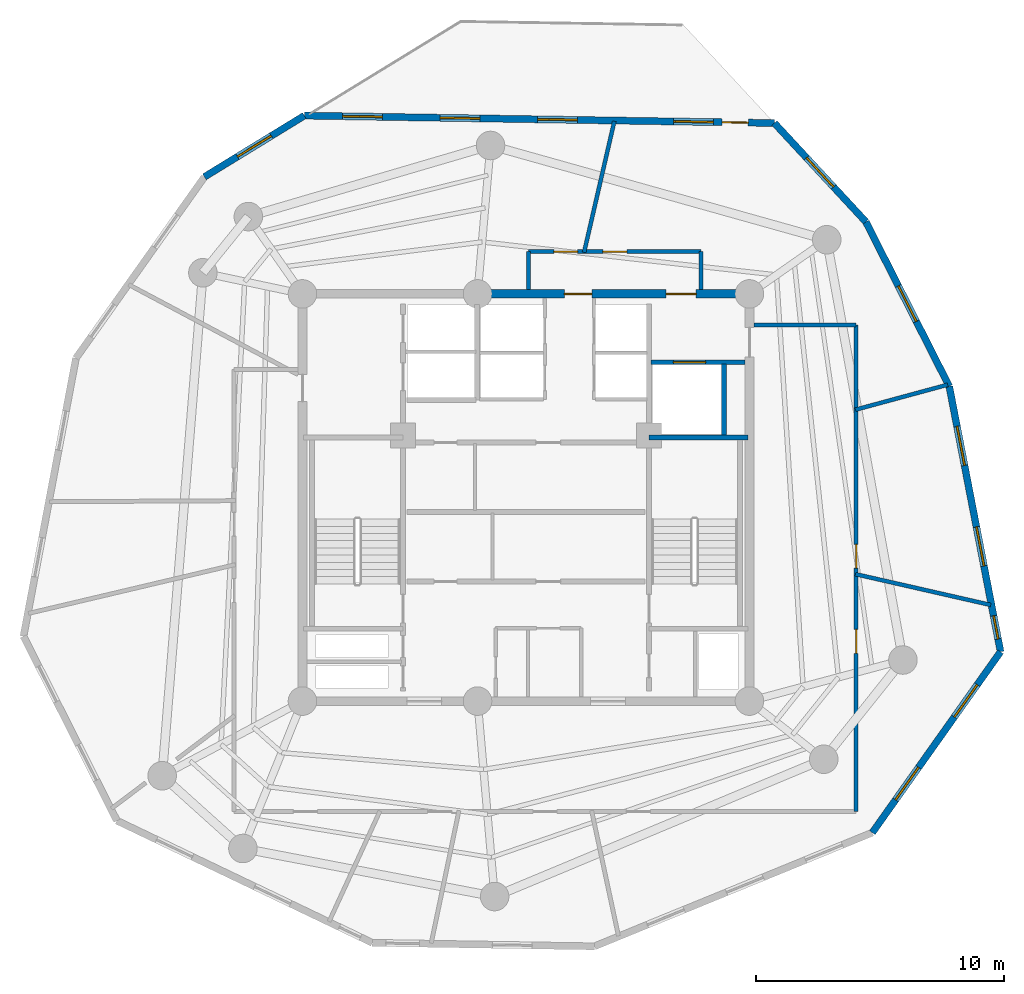
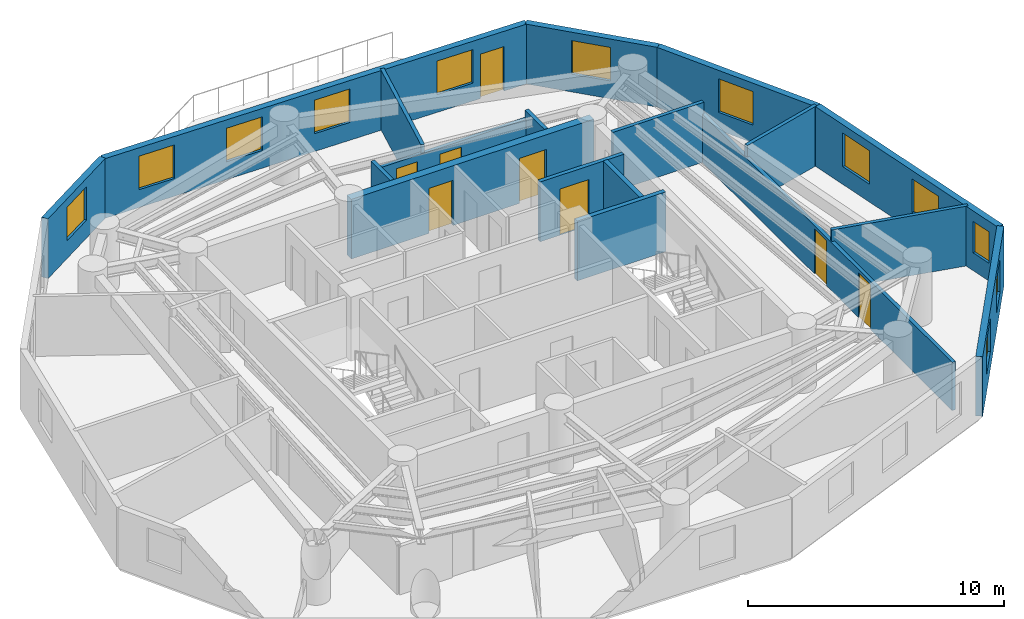
# One storey, part 5 of 7: 18 walls, 12 windows, 8 doors, 20 openings.
"""IFC4 building model written with IfcOpenShell, lengths in metres."""

from ifc_helpers import new_model, si_unit, direction, frame, frame_2d, origin, origin_with_axes, place, context, subcontext, project, spatial, rectangle, extrude, source, transform, mapped, material, layer, layer_set, type_object, element, fill, save


model = new_model("IFC4")

# Units and contexts
model_context = context("Model", 3, precision=1e-05, world=origin(), true_north=direction((0.0, 1.0)))
body_context = subcontext(model_context, "Body", "Model", "MODEL_VIEW")
ifc_project = project(units=[si_unit("LENGTHUNIT", "METRE"), si_unit("AREAUNIT", "SQUARE_METRE"), si_unit("VOLUMEUNIT", "CUBIC_METRE"), si_unit("PLANEANGLEUNIT", "RADIAN"), si_unit("MASSUNIT", "GRAM", prefix="KILO")], contexts=[model_context])

# Site, building, storey
site_placement = place(None, origin())
site = spatial("IfcSite", under=ifc_project, at=site_placement, CompositionType="ELEMENT")
building_placement = place(site_placement, origin())
building = spatial("IfcBuilding", under=site, at=building_placement, Name="Karkom Vertical University and Central Library", CompositionType="ELEMENT")
storey_placement = place(building_placement, frame((0.0, 0.0, 253.5)))
storey = spatial("IfcBuildingStorey", under=building, at=storey_placement, Name="L75", CompositionType="ELEMENT", Elevation=253.5)

# Wall, openings, windows
ifc_material_1 = material(Name="Brick-faced precast concrete C45/55", Category="masonry")
ifc_layer_1 = layer(ifc_material_1, 0.280029296875)
ifc_layer_set_1 = layer_set([ifc_layer_1], Name="Brick-faced precast concrete C45/55")
wall_type_1 = type_object("IfcWallType", Name="ENV-WL-BRK-280", PredefinedType="SOLIDWALL", material=ifc_layer_set_1)
wall_1_placement = place(storey_placement, frame((42.448974609375, 13.0009765625, 0.0), z_axis=(0.0, 0.0, 1.0), x_axis=(0.578346431581, 0.815791275436, 0.0)))
wall_1 = element("IfcWall", 1, at=wall_1_placement, inside=storey, type_object=wall_type_1, Name="Level 75 Brick-Faced Precast Facade Wall 04", PredefinedType="SOLIDWALL", context=body_context, shape_type="SweptSolid", body=[
    extrude(rectangle(XDim=8.931884765625, YDim=0.280029296875, at=frame_2d((4.4658203125, 0.0))), origin(), (0.0, 0.0, 1.0), 2.85009765625),
])
opening_1_placement = place(wall_1_placement, frame((1.623046875, 0.0, 0.85009765625)))
opening_1 = element("IfcOpeningElement", 2, at=opening_1_placement, cuts=wall_1, Name="Opening WN-10", PredefinedType="OPENING", context=body_context, shape_type="SweptSolid", body=[
    extrude(rectangle(XDim=1.60009765625, YDim=1.60009765625, at=frame_2d((0.800048828125, 0.800048828125))), frame((0.0, 0.14990234375, 0.0), z_axis=(0.0, -1.0, 0.0), x_axis=(1.0, 0.0, 0.0)), (0.0, 0.0, 1.0), 0.300048828125),
])
opening_2_placement = place(wall_1_placement, frame((5.708984375, 0.0, 0.85009765625)))
opening_2 = element("IfcOpeningElement", 3, at=opening_2_placement, cuts=wall_1, Name="Opening WN-10", PredefinedType="OPENING", context=body_context, shape_type="SweptSolid", body=[
    extrude(rectangle(XDim=1.60009765625, YDim=1.60009765625, at=frame_2d((0.800048828125, 0.800048828125))), frame((0.0, 0.14990234375, 0.0), z_axis=(0.0, -1.0, 0.0), x_axis=(1.0, 0.0, 0.0)), (0.0, 0.0, 1.0), 0.300048828125),
])
ifc_material_2 = material(Name="Aluminium thermal-break frame with solar-control IGU", Category="aluminium")
window_type_1 = type_object("IfcWindowType", Name="ENV-WIN-WN-10", PartitioningType="SINGLE_PANEL", PredefinedType="WINDOW", material=ifc_material_2)
shared_shape_1 = source(origin_with_axes(), body_context, "Body", "SweptSolid", [
    extrude(rectangle(XDim=1.60009765625, YDim=1.60009765625, at=frame_2d((0.800048828125, 0.800048828125))), frame((0.0, 0.030029296875, 0.0), z_axis=(0.0, -1.0, 0.0), x_axis=(1.0, 0.0, 0.0)), (0.0, 0.0, 1.0), 0.06005859375),
])
window_1_placement = place(opening_1_placement, origin())
window_1 = element("IfcWindow", 4, at=window_1_placement, inside=storey, type_object=window_type_1, Name="Level 75 Punched Window 4.1", OverallHeight=1.60009765625, OverallWidth=1.60009765625, PartitioningType="SINGLE_PANEL", PredefinedType="WINDOW", context=body_context, shape_type="MappedRepresentation", body=[
    mapped(shared_shape_1, transform((0.0, 0.0, 0.0), scale=1.0)),
])
fill(opening_1, window_1)
window_2_placement = place(opening_2_placement, origin())
window_2 = element("IfcWindow", 5, at=window_2_placement, inside=storey, type_object=window_type_1, Name="Level 75 Punched Window 4.2", OverallHeight=1.60009765625, OverallWidth=1.60009765625, PartitioningType="SINGLE_PANEL", PredefinedType="WINDOW", context=body_context, shape_type="MappedRepresentation", body=[
    mapped(shared_shape_1, transform((0.0, 0.0, 0.0), scale=1.0)),
])
fill(opening_2, window_2)

wall_2_placement = place(storey_placement, frame((47.61474609375, 20.28759765625, 0.0), z_axis=(0.0, 0.0, 1.0), x_axis=(-0.189663427648, 0.981849165714, 0.0)))
wall_2 = element("IfcWall", 6, at=wall_2_placement, inside=storey, type_object=wall_type_1, Name="Level 75 Brick-Faced Precast Facade Wall 05", PredefinedType="SOLIDWALL", context=body_context, shape_type="SweptSolid", body=[
    extrude(rectangle(XDim=10.884765625, YDim=0.280029296875, at=frame_2d((5.4423828125, 0.0))), origin(), (0.0, 0.0, 1.0), 2.85009765625),
])
opening_3_placement = place(wall_2_placement, frame((0.5244140625, 0.0, 0.85009765625)))
opening_3 = element("IfcOpeningElement", 7, at=opening_3_placement, cuts=wall_2, Name="Opening WN-12", PredefinedType="OPENING", context=body_context, shape_type="SweptSolid", body=[
    extrude(rectangle(XDim=0.949951171875, YDim=1.5, at=frame_2d((0.47509765625, 0.75))), frame((0.0, 0.14990234375, 0.0), z_axis=(0.0, -1.0, 0.0), x_axis=(1.0, 0.0, 0.0)), (0.0, 0.0, 1.0), 0.300048828125),
])
opening_4_placement = place(wall_2_placement, frame((3.520263671875, 0.0, 0.85009765625)))
opening_4 = element("IfcOpeningElement", 8, at=opening_4_placement, cuts=wall_2, Name="Opening WN-10", PredefinedType="OPENING", context=body_context, shape_type="SweptSolid", body=[
    extrude(rectangle(XDim=1.60009765625, YDim=1.60009765625, at=frame_2d((0.800048828125, 0.800048828125))), frame((0.0, 0.14990234375, 0.0), z_axis=(0.0, -1.0, 0.0), x_axis=(1.0, 0.0, 0.0)), (0.0, 0.0, 1.0), 0.300048828125),
])
opening_5_placement = place(wall_2_placement, frame((7.643310546875, 0.0, 0.85009765625)))
opening_5 = element("IfcOpeningElement", 9, at=opening_5_placement, cuts=wall_2, Name="Opening WN-10", PredefinedType="OPENING", context=body_context, shape_type="SweptSolid", body=[
    extrude(rectangle(XDim=1.60009765625, YDim=1.60009765625, at=frame_2d((0.800048828125, 0.800048828125))), frame((0.0, 0.14990234375, 0.0), z_axis=(0.0, -1.0, 0.0), x_axis=(1.0, 0.0, 0.0)), (0.0, 0.0, 1.0), 0.300048828125),
])
window_type_2 = type_object("IfcWindowType", Name="ENV-WIN-WN-12", PartitioningType="SINGLE_PANEL", PredefinedType="WINDOW", material=ifc_material_2)
shared_shape_2 = source(origin_with_axes(), body_context, "Body", "SweptSolid", [
    extrude(rectangle(XDim=0.949951171875, YDim=1.5, at=frame_2d((0.47509765625, 0.75))), frame((0.0, 0.030029296875, 0.0), z_axis=(0.0, -1.0, 0.0), x_axis=(1.0, 0.0, 0.0)), (0.0, 0.0, 1.0), 0.06005859375),
])
window_3_placement = place(opening_3_placement, origin())
window_3 = element("IfcWindow", 10, at=window_3_placement, inside=storey, type_object=window_type_2, Name="Level 75 Punched Window 5.1", OverallHeight=1.5, OverallWidth=0.949951171875, PartitioningType="SINGLE_PANEL", PredefinedType="WINDOW", context=body_context, shape_type="MappedRepresentation", body=[
    mapped(shared_shape_2, transform((0.0, 0.0, 0.0), scale=1.0)),
])
fill(opening_3, window_3)
window_4_placement = place(opening_4_placement, origin())
window_4 = element("IfcWindow", 11, at=window_4_placement, inside=storey, type_object=window_type_1, Name="Level 75 Punched Window 5.2", OverallHeight=1.60009765625, OverallWidth=1.60009765625, PartitioningType="SINGLE_PANEL", PredefinedType="WINDOW", context=body_context, shape_type="MappedRepresentation", body=[
    mapped(shared_shape_1, transform((0.0, 0.0, 0.0), scale=1.0)),
])
fill(opening_4, window_4)
window_5_placement = place(opening_5_placement, origin())
window_5 = element("IfcWindow", 12, at=window_5_placement, inside=storey, type_object=window_type_1, Name="Level 75 Punched Window 5.3", OverallHeight=1.60009765625, OverallWidth=1.60009765625, PartitioningType="SINGLE_PANEL", PredefinedType="WINDOW", context=body_context, shape_type="MappedRepresentation", body=[
    mapped(shared_shape_1, transform((0.0, 0.0, 0.0), scale=1.0)),
])
fill(opening_5, window_5)

# Wall, opening, window
wall_3_placement = place(storey_placement, frame((45.55029296875, 30.974853515625, 0.0), z_axis=(0.0, 0.0, 1.0), x_axis=(-0.45213236111, 0.891950855169, 0.0)))
wall_3 = element("IfcWall", 13, at=wall_3_placement, inside=storey, type_object=wall_type_1, Name="Level 75 Brick-Faced Precast Facade Wall 06", PredefinedType="SOLIDWALL", context=body_context, shape_type="SweptSolid", body=[
    extrude(rectangle(XDim=7.434814453125, YDim=0.280029296875, at=frame_2d((3.71728515625, 0.0))), origin(), (0.0, 0.0, 1.0), 2.85009765625),
])
opening_6_placement = place(wall_3_placement, frame((2.93603515625, 0.0, 0.85009765625)))
opening_6 = element("IfcOpeningElement", 14, at=opening_6_placement, cuts=wall_3, Name="Opening WN-10", PredefinedType="OPENING", context=body_context, shape_type="SweptSolid", body=[
    extrude(rectangle(XDim=1.60009765625, YDim=1.60009765625, at=frame_2d((0.800048828125, 0.800048828125))), frame((0.0, 0.14990234375, 0.0), z_axis=(0.0, -1.0, 0.0), x_axis=(1.0, 0.0, 0.0)), (0.0, 0.0, 1.0), 0.300048828125),
])
window_6_placement = place(opening_6_placement, origin())
window_6 = element("IfcWindow", 15, at=window_6_placement, inside=storey, type_object=window_type_1, Name="Level 75 Punched Window 6.1", OverallHeight=1.60009765625, OverallWidth=1.60009765625, PartitioningType="SINGLE_PANEL", PredefinedType="WINDOW", context=body_context, shape_type="MappedRepresentation", body=[
    mapped(shared_shape_1, transform((0.0, 0.0, 0.0), scale=1.0)),
])
fill(opening_6, window_6)

wall_4_placement = place(storey_placement, frame((42.188720703125, 37.6064453125, 0.0), z_axis=(0.0, 0.0, 1.0), x_axis=(-0.67978713035, 0.733409474584, 0.0)))
wall_4 = element("IfcWall", 16, at=wall_4_placement, inside=storey, type_object=wall_type_1, Name="Level 75 Brick-Faced Precast Facade Wall 07", PredefinedType="SOLIDWALL", context=body_context, shape_type="SweptSolid", body=[
    extrude(rectangle(XDim=5.41796875, YDim=0.280029296875, at=frame_2d((2.708984375, 0.0))), origin(), (0.0, 0.0, 1.0), 2.85009765625),
])
opening_7_placement = place(wall_4_placement, frame((1.9091796875, 0.0, 0.85009765625)))
opening_7 = element("IfcOpeningElement", 17, at=opening_7_placement, cuts=wall_4, Name="Opening WN-10", PredefinedType="OPENING", context=body_context, shape_type="SweptSolid", body=[
    extrude(rectangle(XDim=1.60009765625, YDim=1.60009765625, at=frame_2d((0.800048828125, 0.800048828125))), frame((0.0, 0.14990234375, 0.0), z_axis=(0.0, -1.0, 0.0), x_axis=(1.0, 0.0, 0.0)), (0.0, 0.0, 1.0), 0.300048828125),
])
window_7_placement = place(opening_7_placement, origin())
window_7 = element("IfcWindow", 18, at=window_7_placement, inside=storey, type_object=window_type_1, Name="Level 75 Punched Window 7.1", OverallHeight=1.60009765625, OverallWidth=1.60009765625, PartitioningType="SINGLE_PANEL", PredefinedType="WINDOW", context=body_context, shape_type="MappedRepresentation", body=[
    mapped(shared_shape_1, transform((0.0, 0.0, 0.0), scale=1.0)),
])
fill(opening_7, window_7)

# Wall, openings, door, windows
wall_5_placement = place(storey_placement, frame((38.505615234375, 41.580078125, 0.0), z_axis=(0.0, 0.0, 1.0), x_axis=(-0.999875036168, 0.015808606765, 0.0)))
wall_5 = element("IfcWall", 19, at=wall_5_placement, inside=storey, type_object=wall_type_1, Name="Level 75 Brick-Faced Precast Facade Wall 08", PredefinedType="SOLIDWALL", context=body_context, shape_type="SweptSolid", body=[
    extrude(rectangle(XDim=18.933837890625, YDim=0.280029296875, at=frame_2d((9.466796875, 0.0))), origin(), (0.0, 0.0, 1.0), 2.85009765625),
])
opening_8_placement = place(wall_5_placement, frame((2.456298828125, 0.0, 0.85009765625)))
opening_8 = element("IfcOpeningElement", 20, at=opening_8_placement, cuts=wall_5, Name="Opening WN-10", PredefinedType="OPENING", context=body_context, shape_type="SweptSolid", body=[
    extrude(rectangle(XDim=1.60009765625, YDim=1.60009765625, at=frame_2d((0.800048828125, 0.800048828125))), frame((0.0, 0.14990234375, 0.0), z_axis=(0.0, -1.0, 0.0), x_axis=(1.0, 0.0, 0.0)), (0.0, 0.0, 1.0), 0.300048828125),
])
opening_9_placement = place(wall_5_placement, frame((7.936279296875, 0.0, 0.85009765625)))
opening_9 = element("IfcOpeningElement", 21, at=opening_9_placement, cuts=wall_5, Name="Opening WN-10", PredefinedType="OPENING", context=body_context, shape_type="SweptSolid", body=[
    extrude(rectangle(XDim=1.60009765625, YDim=1.60009765625, at=frame_2d((0.800048828125, 0.800048828125))), frame((0.0, 0.14990234375, 0.0), z_axis=(0.0, -1.0, 0.0), x_axis=(1.0, 0.0, 0.0)), (0.0, 0.0, 1.0), 0.300048828125),
])
opening_10_placement = place(wall_5_placement, frame((11.86328125, 0.0, 0.85009765625)))
opening_10 = element("IfcOpeningElement", 22, at=opening_10_placement, cuts=wall_5, Name="Opening WN-10", PredefinedType="OPENING", context=body_context, shape_type="SweptSolid", body=[
    extrude(rectangle(XDim=1.60009765625, YDim=1.60009765625, at=frame_2d((0.800048828125, 0.800048828125))), frame((0.0, 0.14990234375, 0.0), z_axis=(0.0, -1.0, 0.0), x_axis=(1.0, 0.0, 0.0)), (0.0, 0.0, 1.0), 0.300048828125),
])
opening_11_placement = place(wall_5_placement, frame((15.790283203125, 0.0, 0.85009765625)))
opening_11 = element("IfcOpeningElement", 23, at=opening_11_placement, cuts=wall_5, Name="Opening WN-10", PredefinedType="OPENING", context=body_context, shape_type="SweptSolid", body=[
    extrude(rectangle(XDim=1.60009765625, YDim=1.60009765625, at=frame_2d((0.800048828125, 0.800048828125))), frame((0.0, 0.14990234375, 0.0), z_axis=(0.0, -1.0, 0.0), x_axis=(1.0, 0.0, 0.0)), (0.0, 0.0, 1.0), 0.300048828125),
])
opening_12_placement = place(wall_5_placement, frame((1.052734375, 0.0, 0.0)))
opening_12 = element("IfcOpeningElement", 24, at=opening_12_placement, cuts=wall_5, Name="Opening TD-1", PredefinedType="OPENING", context=body_context, shape_type="SweptSolid", body=[
    extrude(rectangle(XDim=1.050048828125, YDim=2.1201171875, at=frame_2d((0.52490234375, 1.06005859375))), frame((0.0, 0.14990234375, 0.0), z_axis=(0.0, -1.0, 0.0), x_axis=(1.0, 0.0, 0.0)), (0.0, 0.0, 1.0), 0.300048828125),
])
ifc_material_3 = material(Name="Thermally broken glazed aluminium terrace door", Category="aluminium")
door_type_1 = type_object("IfcDoorType", Name="ENV-DR-TERR", OperationType="NOTDEFINED", PredefinedType="DOOR", material=ifc_material_3)
shared_shape_3 = source(origin_with_axes(), body_context, "Body", "SweptSolid", [
    extrude(rectangle(XDim=1.050048828125, YDim=2.1201171875, at=frame_2d((0.52490234375, 1.06005859375))), frame((0.0, 0.02490234375, 0.0), z_axis=(0.0, -1.0, 0.0), x_axis=(1.0, 0.0, 0.0)), (0.0, 0.0, 1.0), 0.050048828125),
])
door_1_placement = place(opening_12_placement, origin())
door_1 = element("IfcDoor", 25, at=door_1_placement, inside=storey, type_object=door_type_1, Name="Level 75 Outdoor Terrace Access Door", OperationType="SINGLE_SWING_RIGHT", OverallHeight=2.1201171875, OverallWidth=1.050048828125, PredefinedType="DOOR", context=body_context, shape_type="MappedRepresentation", body=[
    mapped(shared_shape_3, transform((0.0, 0.0, 0.0), scale=1.0)),
])
fill(opening_12, door_1)
window_8_placement = place(opening_8_placement, origin())
window_8 = element("IfcWindow", 26, at=window_8_placement, inside=storey, type_object=window_type_1, Name="Level 75 Punched Window 8.1", OverallHeight=1.60009765625, OverallWidth=1.60009765625, PartitioningType="SINGLE_PANEL", PredefinedType="WINDOW", context=body_context, shape_type="MappedRepresentation", body=[
    mapped(shared_shape_1, transform((0.0, 0.0, 0.0), scale=1.0)),
])
fill(opening_8, window_8)
window_9_placement = place(opening_9_placement, origin())
window_9 = element("IfcWindow", 27, at=window_9_placement, inside=storey, type_object=window_type_1, Name="Level 75 Punched Window 8.2", OverallHeight=1.60009765625, OverallWidth=1.60009765625, PartitioningType="SINGLE_PANEL", PredefinedType="WINDOW", context=body_context, shape_type="MappedRepresentation", body=[
    mapped(shared_shape_1, transform((0.0, 0.0, 0.0), scale=1.0)),
])
fill(opening_9, window_9)
window_10_placement = place(opening_10_placement, origin())
window_10 = element("IfcWindow", 28, at=window_10_placement, inside=storey, type_object=window_type_1, Name="Level 75 Punched Window 8.3", OverallHeight=1.60009765625, OverallWidth=1.60009765625, PartitioningType="SINGLE_PANEL", PredefinedType="WINDOW", context=body_context, shape_type="MappedRepresentation", body=[
    mapped(shared_shape_1, transform((0.0, 0.0, 0.0), scale=1.0)),
])
fill(opening_10, window_10)
window_11_placement = place(opening_11_placement, origin())
window_11 = element("IfcWindow", 29, at=window_11_placement, inside=storey, type_object=window_type_1, Name="Level 75 Punched Window 8.4", OverallHeight=1.60009765625, OverallWidth=1.60009765625, PartitioningType="SINGLE_PANEL", PredefinedType="WINDOW", context=body_context, shape_type="MappedRepresentation", body=[
    mapped(shared_shape_1, transform((0.0, 0.0, 0.0), scale=1.0)),
])
fill(opening_11, window_11)

# Wall, opening, window
wall_6_placement = place(storey_placement, frame((19.57421875, 41.87939453125, 0.0), z_axis=(0.0, 0.0, 1.0), x_axis=(-0.852648098129, -0.522485617751, 0.0)))
wall_6 = element("IfcWall", 30, at=wall_6_placement, inside=storey, type_object=wall_type_1, Name="Level 75 Brick-Faced Precast Facade Wall 09", PredefinedType="SOLIDWALL", context=body_context, shape_type="SweptSolid", body=[
    extrude(rectangle(XDim=4.718505859375, YDim=0.280029296875, at=frame_2d((2.359375, 0.0))), origin(), (0.0, 0.0, 1.0), 2.85009765625),
])
opening_13_placement = place(wall_6_placement, frame((1.55908203125, 0.0, 0.85009765625)))
opening_13 = element("IfcOpeningElement", 31, at=opening_13_placement, cuts=wall_6, Name="Opening WN-10", PredefinedType="OPENING", context=body_context, shape_type="SweptSolid", body=[
    extrude(rectangle(XDim=1.60009765625, YDim=1.60009765625, at=frame_2d((0.800048828125, 0.800048828125))), frame((0.0, 0.14990234375, 0.0), z_axis=(0.0, -1.0, 0.0), x_axis=(1.0, 0.0, 0.0)), (0.0, 0.0, 1.0), 0.300048828125),
])
window_12_placement = place(opening_13_placement, origin())
window_12 = element("IfcWindow", 32, at=window_12_placement, inside=storey, type_object=window_type_1, Name="Level 75 Punched Window 9.1", OverallHeight=1.60009765625, OverallWidth=1.60009765625, PartitioningType="SINGLE_PANEL", PredefinedType="WINDOW", context=body_context, shape_type="MappedRepresentation", body=[
    mapped(shared_shape_1, transform((0.0, 0.0, 0.0), scale=1.0)),
])
fill(opening_13, window_12)

# Wall, openings, doors
ifc_material_4 = material(Name="Insulated metal-stud drywall 160mm", Category="gypsum")
ifc_layer_2 = layer(ifc_material_4, 0.159912109375)
ifc_layer_set_2 = layer_set([ifc_layer_2], Name="Insulated metal-stud drywall 160mm")
wall_type_2 = type_object("IfcWallType", Name="INT-WL-COR-160", PredefinedType="PARTITIONING", material=ifc_layer_set_2)
wall_7_placement = place(storey_placement, frame((41.800048828125, 33.449951171875, 0.0), z_axis=(0.0, 0.0, 1.0), x_axis=(0.0, -1.0, 0.0)))
wall_7 = element("IfcWall", 33, at=wall_7_placement, inside=storey, type_object=wall_type_2, Name="Level 75 Interior Partition Wall L75-CORW-CW-005", PredefinedType="PARTITIONING", context=body_context, shape_type="SweptSolid", body=[
    extrude(rectangle(XDim=19.599853515625, YDim=0.159912109375, at=frame_2d((9.7998046875, 0.0))), origin(), (0.0, 0.0, 1.0), 2.300048828125),
])
opening_14_placement = place(wall_7_placement, frame((12.264892578125, 0.0, 0.0)))
opening_14 = element("IfcOpeningElement", 34, at=opening_14_placement, cuts=wall_7, Name="Opening FD-RM2", PredefinedType="OPENING", context=body_context, shape_type="SweptSolid", body=[
    extrude(rectangle(XDim=0.9599609375, YDim=2.14990234375, at=frame_2d((0.47998046875, 1.074951171875))), frame((0.0, 0.08984375, 0.0), z_axis=(0.0, -1.0, 0.0), x_axis=(1.0, 0.0, 0.0)), (0.0, 0.0, 1.0), 0.179931640625),
])
opening_15_placement = place(wall_7_placement, frame((8.8349609375, 0.0, 0.0)))
opening_15 = element("IfcOpeningElement", 35, at=opening_15_placement, cuts=wall_7, Name="Opening FD-RM2", PredefinedType="OPENING", context=body_context, shape_type="SweptSolid", body=[
    extrude(rectangle(XDim=0.9599609375, YDim=2.14990234375, at=frame_2d((0.47998046875, 1.074951171875))), frame((0.0, 0.08984375, 0.0), z_axis=(0.0, -1.0, 0.0), x_axis=(1.0, 0.0, 0.0)), (0.0, 0.0, 1.0), 0.179931640625),
])
ifc_material_5 = material(Name="Fire-rated oak veneer door", Category="wood")
door_type_2 = type_object("IfcDoorType", Name="INT-DR-FRM2", OperationType="NOTDEFINED", PredefinedType="DOOR", material=ifc_material_5)
shared_shape_4 = source(origin_with_axes(), body_context, "Body", "SweptSolid", [
    extrude(rectangle(XDim=0.9599609375, YDim=2.14990234375, at=frame_2d((0.47998046875, 1.074951171875))), frame((0.0, 0.02490234375, 0.0), z_axis=(0.0, -1.0, 0.0), x_axis=(1.0, 0.0, 0.0)), (0.0, 0.0, 1.0), 0.050048828125),
])
door_2_placement = place(opening_14_placement, origin())
door_2 = element("IfcDoor", 36, at=door_2_placement, inside=storey, type_object=door_type_2, Name="Level 75 Room Entry Door 306", OperationType="SINGLE_SWING_LEFT", OverallHeight=2.14990234375, OverallWidth=0.9599609375, PredefinedType="DOOR", context=body_context, shape_type="MappedRepresentation", body=[
    mapped(shared_shape_4, transform((0.0, 0.0, 0.0), scale=1.0)),
])
fill(opening_14, door_2)
door_3_placement = place(opening_15_placement, origin())
door_3 = element("IfcDoor", 37, at=door_3_placement, inside=storey, type_object=door_type_2, Name="Level 75 Room Entry Door 307", OperationType="SINGLE_SWING_RIGHT", OverallHeight=2.14990234375, OverallWidth=0.9599609375, PredefinedType="DOOR", context=body_context, shape_type="MappedRepresentation", body=[
    mapped(shared_shape_4, transform((0.0, 0.0, 0.0), scale=1.0)),
])
fill(opening_15, door_3)

wall_8_placement = place(storey_placement, frame((28.60009765625, 36.39990234375, 0.0), z_axis=(0.0, 0.0, 1.0), x_axis=(1.0, 0.0, 0.0)))
wall_8 = element("IfcWall", 38, at=wall_8_placement, inside=storey, type_object=wall_type_2, Name="Level 75 Interior Partition Wall L75-CORW-CW-007", PredefinedType="PARTITIONING", context=body_context, shape_type="SweptSolid", body=[
    extrude(rectangle(XDim=6.949951171875, YDim=0.159912109375, at=frame_2d((3.47509765625, 0.0))), origin(), (0.0, 0.0, 1.0), 2.449951171875),
])
opening_16_placement = place(wall_8_placement, frame((3.0, 0.0, 0.0)))
opening_16 = element("IfcOpeningElement", 39, at=opening_16_placement, cuts=wall_8, Name="Opening FD-RM2", PredefinedType="OPENING", context=body_context, shape_type="SweptSolid", body=[
    extrude(rectangle(XDim=0.9599609375, YDim=2.14990234375, at=frame_2d((0.47998046875, 1.074951171875))), frame((0.0, 0.08984375, 0.0), z_axis=(0.0, -1.0, 0.0), x_axis=(1.0, 0.0, 0.0)), (0.0, 0.0, 1.0), 0.179931640625),
])
opening_17_placement = place(wall_8_placement, frame((1.0224609375, 0.0, 0.0)))
opening_17 = element("IfcOpeningElement", 40, at=opening_17_placement, cuts=wall_8, Name="Opening FD-RM2", PredefinedType="OPENING", context=body_context, shape_type="SweptSolid", body=[
    extrude(rectangle(XDim=0.9599609375, YDim=2.14990234375, at=frame_2d((0.47998046875, 1.074951171875))), frame((0.0, 0.08984375, 0.0), z_axis=(0.0, -1.0, 0.0), x_axis=(1.0, 0.0, 0.0)), (0.0, 0.0, 1.0), 0.179931640625),
])
door_4_placement = place(opening_16_placement, origin())
door_4 = element("IfcDoor", 41, at=door_4_placement, inside=storey, type_object=door_type_2, Name="Level 75 Room Entry Door 308", OperationType="SINGLE_SWING_LEFT", OverallHeight=2.14990234375, OverallWidth=0.9599609375, PredefinedType="DOOR", context=body_context, shape_type="MappedRepresentation", body=[
    mapped(shared_shape_4, transform((0.0, 0.0, 0.0), scale=1.0)),
])
fill(opening_16, door_4)
door_5_placement = place(opening_17_placement, origin())
door_5 = element("IfcDoor", 42, at=door_5_placement, inside=storey, type_object=door_type_2, Name="Level 75 Room Entry Door 309", OperationType="SINGLE_SWING_RIGHT", OverallHeight=2.14990234375, OverallWidth=0.9599609375, PredefinedType="DOOR", context=body_context, shape_type="MappedRepresentation", body=[
    mapped(shared_shape_4, transform((0.0, 0.0, 0.0), scale=1.0)),
])
fill(opening_17, door_5)

# Walls
wall_9_placement = place(storey_placement, frame((41.770751953125, 23.41357421875, 0.0), z_axis=(0.0, 0.0, 1.0), x_axis=(0.974986314241, -0.222264902857, 0.0)))
element("IfcWall", 43, at=wall_9_placement, inside=storey, type_object=wall_type_2, Name="Level 75 Interior Partition Wall L75-PW-008", PredefinedType="PARTITIONING", context=body_context, shape_type="SweptSolid", body=[
    extrude(rectangle(XDim=5.5888671875, YDim=0.159912109375, at=frame_2d((2.79443359375, 0.0))), origin(), (0.0, 0.0, 1.0), 2.85009765625),
])
wall_10_placement = place(storey_placement, frame((30.84033203125, 36.370849609375, 0.0), z_axis=(0.0, 0.0, 1.0), x_axis=(0.224977855342, 0.974363876899, 0.0)))
element("IfcWall", 44, at=wall_10_placement, inside=storey, type_object=wall_type_2, Name="Level 75 Interior Partition Wall L75-PW-010", PredefinedType="PARTITIONING", context=body_context, shape_type="SweptSolid", body=[
    extrude(rectangle(XDim=5.423828125, YDim=0.159912109375, at=frame_2d((2.7119140625, 0.0))), origin(), (0.0, 0.0, 1.0), 2.85009765625),
])
wall_11_placement = place(storey_placement, frame((37.681884765625, 33.449951171875, 0.0), z_axis=(0.0, 0.0, 1.0), x_axis=(1.0, 0.0, 0.0)))
element("IfcWall", 45, at=wall_11_placement, inside=storey, type_object=wall_type_2, Name="Level 75 Interior Partition Wall L75-CORW-CW-004", PredefinedType="PARTITIONING", context=body_context, shape_type="SweptSolid", body=[
    extrude(rectangle(XDim=4.1181640625, YDim=0.159912109375, at=frame_2d((2.05908203125, 0.0))), origin(), (0.0, 0.0, 1.0), 2.85009765625),
])
wall_12_placement = place(storey_placement, frame((41.77099609375, 30.035888671875, 0.0), z_axis=(0.0, 0.0, 1.0), x_axis=(0.965154989502, 0.261678899112, 0.0)))
element("IfcWall", 46, at=wall_12_placement, inside=storey, type_object=wall_type_2, Name="Level 75 Interior Partition Wall L75-PW-009", PredefinedType="PARTITIONING", context=body_context, shape_type="SweptSolid", body=[
    extrude(rectangle(XDim=3.849365234375, YDim=0.159912109375, at=frame_2d((1.9248046875, 0.0))), origin(), (0.0, 0.0, 1.0), 2.85009765625),
])
for number, where, z_axis, x_axis, name in (
    (47, (28.60009765625, 34.882080078125, 0.0), (0.0, 0.0, 1.0), (0.0, 1.0, 0.0), "Level 75 Interior Partition Wall L75-CORW-CW-006"),
    (48, (35.550048828125, 36.39990234375, 0.0), (0.0, 0.0, 1.0), (0.0, -1.0, 0.0), "Level 75 Interior Partition Wall L75-CORW-CW-008"),
):
    element("IfcWall", number, at=place(storey_placement, frame(where, z_axis=z_axis, x_axis=x_axis)), inside=storey, type_object=wall_type_2, Name=name, PredefinedType="PARTITIONING", context=body_context, shape_type="SweptSolid", body=[
        extrude(rectangle(XDim=1.517822265625, YDim=0.159912109375, at=frame_2d((0.7587890625, 0.0))), origin(), (0.0, 0.0, 1.0), 2.85009765625),
    ])

# Wall, opening, door
ifc_material_6 = material(Name="Twin-stud acoustic drywall 180mm", Category="gypsum")
ifc_layer_3 = layer(ifc_material_6, 0.179931640625)
ifc_layer_set_3 = layer_set([ifc_layer_3], Name="Twin-stud acoustic drywall 180mm")
wall_type_3 = type_object("IfcWallType", Name="INT-WL-TEN-180F", PredefinedType="PARTITIONING", material=ifc_layer_set_3)
wall_13_placement = place(storey_placement, frame((33.534912109375, 31.949951171875, 0.0), z_axis=(0.0, 0.0, 1.0), x_axis=(1.0, 0.0, 0.0)))
wall_13 = element("IfcWall", 49, at=wall_13_placement, inside=storey, type_object=wall_type_3, Name="Level 75 Interior Partition Wall L75-CW-SVL-N", PredefinedType="PARTITIONING", context=body_context, shape_type="SweptSolid", body=[
    extrude(rectangle(XDim=3.783935546875, YDim=0.179931640625, at=frame_2d((1.89208984375, 0.0))), origin(), (0.0, 0.0, 1.0), 2.85009765625),
])
opening_18_placement = place(wall_13_placement, frame((0.89990234375, 0.0, 0.0)))
opening_18 = element("IfcOpeningElement", 50, at=opening_18_placement, cuts=wall_13, Name="Opening LD-SV1", PredefinedType="OPENING", context=body_context, shape_type="SweptSolid", body=[
    extrude(rectangle(XDim=1.300048828125, YDim=2.199951171875, at=frame_2d((0.64990234375, 1.10009765625))), frame((0.0, 0.10009765625, 0.0), z_axis=(0.0, -1.0, 0.0), x_axis=(1.0, 0.0, 0.0)), (0.0, 0.0, 1.0), 0.199951171875),
])
ifc_material_7 = material(Name="Brushed stainless-steel landing door", Category="steel")
door_type_3 = type_object("IfcDoorType", Name="INT-DR-LD-SV1", OperationType="SLIDING_TO_LEFT", PredefinedType="DOOR", material=ifc_material_7)
shared_shape_5 = source(origin_with_axes(), body_context, "Body", "SweptSolid", [
    extrude(rectangle(XDim=1.300048828125, YDim=2.199951171875, at=frame_2d((0.64990234375, 1.10009765625))), frame((0.0, 0.02490234375, 0.0), z_axis=(0.0, -1.0, 0.0), x_axis=(1.0, 0.0, 0.0)), (0.0, 0.0, 1.0), 0.050048828125),
])
door_6_placement = place(opening_18_placement, origin())
door_6 = element("IfcDoor", 51, at=door_6_placement, inside=storey, type_object=door_type_3, Name="Level 75 Service Lift Landing Door LD-SV1", OperationType="SLIDING_TO_LEFT", OverallHeight=2.199951171875, OverallWidth=1.300048828125, PredefinedType="DOOR", context=body_context, shape_type="MappedRepresentation", body=[
    mapped(shared_shape_5, transform((0.0, 0.0, 0.0), scale=1.0)),
])
fill(opening_18, door_6)

# Wall, openings, doors
ifc_material_8 = material(Name="Concrete C45/55", Category="concrete")
ifc_layer_4 = layer(ifc_material_8, 0.35009765625)
ifc_layer_set_4 = layer_set([ifc_layer_4], Name="Concrete C45/55")
wall_type_4 = type_object("IfcWallType", Name="STR-WL-CW-350", PredefinedType="SHEAR", material=ifc_layer_set_4)
wall_14_placement = place(storey_placement, frame((37.5, 34.699951171875, 0.0), z_axis=(0.0, 0.0, 1.0), x_axis=(-1.0, 0.0, 0.0)))
wall_14 = element("IfcWall", 52, at=wall_14_placement, inside=storey, type_object=wall_type_4, Name="Level 75 Central Core Shear Wall NW1", PredefinedType="SHEAR", context=body_context, shape_type="SweptSolid", body=[
    extrude(rectangle(XDim=10.949951171875, YDim=0.35009765625, at=frame_2d((5.47509765625, 0.0))), origin(), (0.0, 0.0, 1.0), 2.85009765625),
])
opening_19_placement = place(wall_14_placement, frame((2.14990234375, 0.0, 0.0)))
opening_19 = element("IfcOpeningElement", 53, at=opening_19_placement, cuts=wall_14, Name="Opening FD-SUB1", PredefinedType="OPENING", context=body_context, shape_type="SweptSolid", body=[
    extrude(rectangle(XDim=1.199951171875, YDim=2.14990234375, at=frame_2d((0.60009765625, 1.074951171875))), frame((0.0, 0.18505859375, 0.0), z_axis=(0.0, -1.0, 0.0), x_axis=(1.0, 0.0, 0.0)), (0.0, 0.0, 1.0), 0.3701171875),
])
opening_20_placement = place(wall_14_placement, frame((6.35009765625, 0.0, 0.0)))
opening_20 = element("IfcOpeningElement", 54, at=opening_20_placement, cuts=wall_14, Name="Opening FD-FFL", PredefinedType="OPENING", context=body_context, shape_type="SweptSolid", body=[
    extrude(rectangle(XDim=1.10009765625, YDim=2.14990234375, at=frame_2d((0.550048828125, 1.074951171875))), frame((0.0, 0.18505859375, 0.0), z_axis=(0.0, -1.0, 0.0), x_axis=(1.0, 0.0, 0.0)), (0.0, 0.0, 1.0), 0.3701171875),
])
ifc_material_9 = material(Name="Painted steel smoke-seal fire door", Category="steel")
door_type_4 = type_object("IfcDoorType", Name="INT-DR-FFL", OperationType="NOTDEFINED", PredefinedType="DOOR", material=ifc_material_9)
shared_shape_6 = source(origin_with_axes(), body_context, "Body", "SweptSolid", [
    extrude(rectangle(XDim=1.10009765625, YDim=2.14990234375, at=frame_2d((0.550048828125, 1.074951171875))), frame((0.0, 0.02490234375, 0.0), z_axis=(0.0, -1.0, 0.0), x_axis=(1.0, 0.0, 0.0)), (0.0, 0.0, 1.0), 0.050048828125),
])
door_7_placement = place(opening_20_placement, origin())
door_7 = element("IfcDoor", 55, at=door_7_placement, inside=storey, type_object=door_type_4, Name="Level 75 North Core Lobby Exit Door", OperationType="SINGLE_SWING_RIGHT", OverallHeight=2.14990234375, OverallWidth=1.10009765625, PredefinedType="DOOR", context=body_context, shape_type="MappedRepresentation", body=[
    mapped(shared_shape_6, transform((0.0, 0.0, 0.0), scale=1.0)),
])
fill(opening_20, door_7)
ifc_material_10 = material(Name="Painted steel fire door", Category="steel")
door_type_5 = type_object("IfcDoorType", Name="INT-DR-SUB1", OperationType="NOTDEFINED", PredefinedType="DOOR", material=ifc_material_10)
shared_shape_7 = source(origin_with_axes(), body_context, "Body", "SweptSolid", [
    extrude(rectangle(XDim=1.199951171875, YDim=2.14990234375, at=frame_2d((0.60009765625, 1.074951171875))), frame((0.0, 0.02490234375, 0.0), z_axis=(0.0, -1.0, 0.0), x_axis=(1.0, 0.0, 0.0)), (0.0, 0.0, 1.0), 0.050048828125),
])
door_8_placement = place(opening_19_placement, origin())
door_8 = element("IfcDoor", 56, at=door_8_placement, inside=storey, type_object=door_type_5, Name="Level 75 Service Lobby Fire Door", OperationType="SINGLE_SWING_RIGHT", OverallHeight=2.14990234375, OverallWidth=1.199951171875, PredefinedType="DOOR", context=body_context, shape_type="MappedRepresentation", body=[
    mapped(shared_shape_7, transform((0.0, 0.0, 0.0), scale=1.0)),
])
fill(opening_19, door_8)

# Walls
ifc_layer_5 = layer(ifc_material_8, 0.199951171875)
ifc_layer_set_5 = layer_set([ifc_layer_5], Name="Concrete C45/55")
wall_type_5 = type_object("IfcWallType", Name="STR-WL-ST-200", PredefinedType="SHEAR", material=ifc_layer_set_5)
wall_15_placement = place(storey_placement, frame((33.455078125, 28.925048828125, 0.0), z_axis=(0.0, 0.0, 1.0), x_axis=(1.0, 0.0, 0.0)))
element("IfcWall", 57, at=wall_15_placement, inside=storey, type_object=wall_type_5, Name="Level 75 Core Shaft Wall L75-CW-ST2-N", PredefinedType="SHEAR", context=body_context, shape_type="SweptSolid", body=[
    extrude(rectangle(XDim=3.994873046875, YDim=0.199951171875, at=frame_2d((1.99755859375, 0.0))), origin(), (0.0, 0.0, 1.0), 2.85009765625),
])
wall_16_placement = place(storey_placement, frame((36.47998046875, 29.02001953125, 0.0), z_axis=(0.0, 0.0, 1.0), x_axis=(0.0, 1.0, 0.0)))
element("IfcWall", 58, at=wall_16_placement, inside=storey, type_object=wall_type_5, Name="Level 75 Core Shaft Wall L75-CW-SVL-E", PredefinedType="SHEAR", context=body_context, shape_type="SweptSolid", body=[
    extrude(rectangle(XDim=2.85986328125, YDim=0.199951171875, at=frame_2d((1.429931640625, 0.0))), origin(), (0.0, 0.0, 1.0), 2.85009765625),
])

save(model, "model.ifc")
